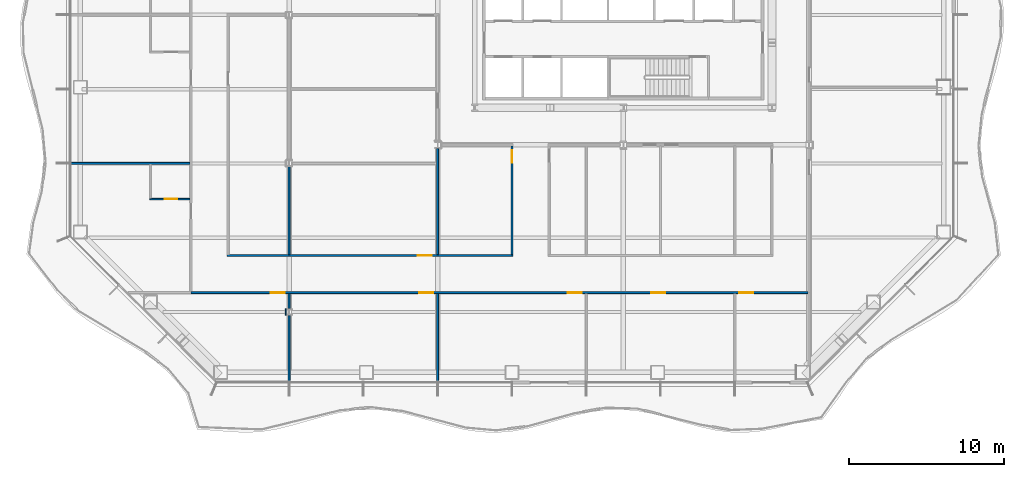
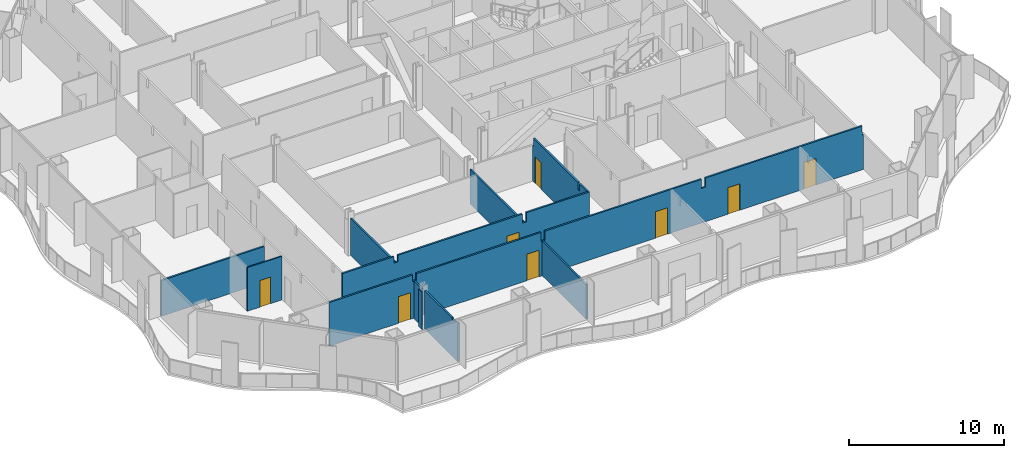
# One storey, part 6 of 18: 11 walls, 8 doors, 8 openings.
"""IFC4 building model written with IfcOpenShell, lengths in metres."""

from ifc_helpers import new_model, si_unit, direction, frame, frame_2d, origin, place, context, subcontext, project, spatial, polyline, rectangle, outline, extrude, material, layer, layer_set, type_object, element, fill, save


model = new_model("IFC4")

# Units and contexts
model_context = context("Model", 3, precision=1e-05, world=origin(), true_north=direction((0.0, 1.0)))
body_context = subcontext(model_context, "Body", "Model", "MODEL_VIEW")
ifc_project = project(units=[si_unit("LENGTHUNIT", "METRE"), si_unit("AREAUNIT", "SQUARE_METRE"), si_unit("VOLUMEUNIT", "CUBIC_METRE"), si_unit("PLANEANGLEUNIT", "RADIAN"), si_unit("MASSUNIT", "GRAM", prefix="KILO")], contexts=[model_context])

# Site, building, storey
site_placement = place(None, origin())
site = spatial("IfcSite", under=ifc_project, at=site_placement, CompositionType="ELEMENT")
building_placement = place(site_placement, origin())
building = spatial("IfcBuilding", under=site, at=building_placement, Name="Cairn Pilgrim Tower", CompositionType="ELEMENT")
storey_placement = place(building_placement, frame((0.0, 0.0, 76.199951171875)))
storey = spatial("IfcBuildingStorey", under=building, at=storey_placement, Name="L17", CompositionType="ELEMENT", Elevation=76.199951171875)

# Wall, opening, door
ifc_material_1 = material(Name="Gypsum partition")
ifc_layer_1 = layer(ifc_material_1, 0.10009765625)
ifc_layer_set_1 = layer_set([ifc_layer_1], Name="PARTITION 100 DRYWALL")
wall_type_1 = type_object("IfcWallType", Name="PARTITION 100 DRYWALL", PredefinedType="PARTITIONING", material=ifc_layer_set_1)
wall_1_placement = place(storey_placement, frame((-23.39990234375, -11.89990234375, 0.0), z_axis=(0.0, 0.0, 1.0), x_axis=(1.0, 0.0, 0.0)))
wall_1 = element("IfcWall", 1, at=wall_1_placement, inside=storey, type_object=wall_type_1, Name="PARTITION W022", PredefinedType="PARTITIONING", context=body_context, shape_type="SweptSolid", body=[
    extrude(rectangle(XDim=2.58740234375, YDim=0.10009765625, at=frame_2d((1.293701171875, 0.0))), origin(), (0.0, 0.0, 1.0), 3.449951171875),
])
opening_1_placement = place(wall_1_placement, frame((0.949951171875, 0.0, 0.0)))
opening_1 = element("IfcOpeningElement", 2, at=opening_1_placement, cuts=wall_1, Name="Opening 1706E", PredefinedType="OPENING", context=body_context, shape_type="SweptSolid", body=[
    extrude(rectangle(XDim=0.800048828125, YDim=2.10009765625, at=frame_2d((0.39990234375, 1.050048828125))), frame((0.0, 0.06005859375, 0.0), z_axis=(0.0, -1.0, 0.0), x_axis=(1.0, 0.0, 0.0)), (0.0, 0.0, 1.0), 0.1201171875),
])
ifc_material_2 = material(Name="Timber door leaf", Category="wood")
door_type_1 = type_object("IfcDoorType", Name="DOOR 800x2100", OperationType="NOTDEFINED", PredefinedType="DOOR", material=ifc_material_2)
door_1_placement = place(opening_1_placement, origin())
door_1 = element("IfcDoor", 3, at=door_1_placement, inside=storey, type_object=door_type_1, Name="DOOR 1706E", OperationType="SINGLE_SWING_RIGHT", OverallHeight=2.10009765625, OverallWidth=0.800048828125, PredefinedType="DOOR", context=body_context, shape_type="SweptSolid", body=[
    extrude(rectangle(XDim=0.800048828125, YDim=2.10009765625, at=frame_2d((0.39990234375, 1.050048828125))), frame((0.0, 0.02490234375, 0.0), z_axis=(0.0, -1.0, 0.0), x_axis=(1.0, 0.0, 0.0)), (0.0, 0.0, 1.0), 0.050048828125),
])
fill(opening_1, door_1)

# Walls
ifc_layer_2 = layer(ifc_material_1, 0.125)
ifc_layer_set_2 = layer_set([ifc_layer_2], Name="PARTITION 125 DRYWALL EI 60")
wall_type_2 = type_object("IfcWallType", Name="PARTITION 125 DRYWALL EI 60", PredefinedType="PARTITIONING", material=ifc_layer_set_2)
wall_2_placement = place(storey_placement, frame((-14.39990234375, -23.68994140625, 0.0), z_axis=(0.0, 0.0, 1.0), x_axis=(0.0, 1.0, 0.0)))
element("IfcWall", 4, at=wall_2_placement, inside=storey, type_object=wall_type_2, Name="PARTITION W001", PredefinedType="PARTITIONING", context=body_context, shape_type="SweptSolid", body=[
    extrude(outline(polyline([(0.0, 0.0), (4.27734375, 0.0), (4.277587890625, 3.030029296875), (0.739990234375, 3.030029296875), (0.738037109375, 2.929931640625), (0.43994140625, 2.929931640625), (0.43798828125, 3.030029296875), (0.0, 3.030029296875), (0.0, 0.0)])), frame((0.0, 0.0625, 0.0), z_axis=(0.0, -1.0, 0.0), x_axis=(1.0, 0.0, 0.0)), (0.0, 0.0, 1.0), 0.125),
])
wall_3_placement = place(storey_placement, frame((-4.800048828125, -23.68994140625, 0.0), z_axis=(0.0, 0.0, 1.0), x_axis=(0.0, 1.0, 0.0)))
element("IfcWall", 5, at=wall_3_placement, inside=storey, type_object=wall_type_2, Name="PARTITION W002", PredefinedType="PARTITIONING", context=body_context, shape_type="SweptSolid", body=[
    extrude(rectangle(XDim=5.677490234375, YDim=0.125, at=frame_2d((2.8388671875, 0.0))), origin(), (0.0, 0.0, 1.0), 2.72998046875),
])
wall_4_placement = place(storey_placement, frame((-14.39990234375, -18.987548828125, 0.0), z_axis=(0.0, 0.0, 1.0), x_axis=(0.0, 1.0, 0.0)))
element("IfcWall", 6, at=wall_4_placement, inside=storey, type_object=wall_type_2, Name="PARTITION W006", PredefinedType="PARTITIONING", context=body_context, shape_type="SweptSolid", body=[
    extrude(rectangle(XDim=0.97509765625, YDim=0.125, at=frame_2d((0.487548828125, 0.0))), origin(), (0.0, 0.0, 1.0), 2.929931640625),
])

# Wall, openings, doors
wall_5_placement = place(storey_placement, frame((-20.75, -17.949951171875, 0.0), z_axis=(0.0, 0.0, 1.0), x_axis=(1.0, 0.0, 0.0)))
wall_5 = element("IfcWall", 7, at=wall_5_placement, inside=storey, type_object=wall_type_2, Name="PARTITION W008", PredefinedType="PARTITIONING", context=body_context, shape_type="SweptSolid", body=[
    extrude(outline(polyline([(0.0, 0.0), (39.887451171875, 0.0), (39.887451171875, 2.72998046875), (39.800048828125, 2.72998046875), (39.798095703125, 3.449951171875), (28.10009765625, 3.449951171875), (28.097900390625, 2.72998046875), (27.800048828125, 2.72998046875), (27.798095703125, 3.449951171875), (16.10009765625, 3.449951171875), (16.097900390625, 2.72998046875), (15.800048828125, 2.72998046875), (15.798095703125, 3.449951171875), (6.5, 3.449951171875), (6.498046875, 2.929931640625), (6.199951171875, 2.929931640625), (6.197998046875, 3.449951171875), (0.0, 3.449951171875), (0.0, 0.0)])), frame((0.0, 0.0625, 0.0), z_axis=(0.0, -1.0, 0.0), x_axis=(1.0, 0.0, 0.0)), (0.0, 0.0, 1.0), 0.125),
])
opening_2_placement = place(wall_5_placement, frame((5.14990234375, 0.0, 0.0)))
opening_2 = element("IfcOpeningElement", 8, at=opening_2_placement, cuts=wall_5, Name="Opening 1701", PredefinedType="OPENING", context=body_context, shape_type="SweptSolid", body=[
    extrude(rectangle(XDim=0.89990234375, YDim=2.10009765625, at=frame_2d((0.449951171875, 1.050048828125))), frame((0.0, 0.072509765625, 0.0), z_axis=(0.0, -1.0, 0.0), x_axis=(1.0, 0.0, 0.0)), (0.0, 0.0, 1.0), 0.14501953125),
])
opening_3_placement = place(wall_5_placement, frame((14.75, 0.0, 0.0)))
opening_3 = element("IfcOpeningElement", 9, at=opening_3_placement, cuts=wall_5, Name="Opening 1702", PredefinedType="OPENING", context=body_context, shape_type="SweptSolid", body=[
    extrude(rectangle(XDim=0.89990234375, YDim=2.10009765625, at=frame_2d((0.449951171875, 1.050048828125))), frame((0.0, 0.072509765625, 0.0), z_axis=(0.0, -1.0, 0.0), x_axis=(1.0, 0.0, 0.0)), (0.0, 0.0, 1.0), 0.14501953125),
])
opening_4_placement = place(wall_5_placement, frame((24.35009765625, 0.0, 0.0)))
opening_4 = element("IfcOpeningElement", 10, at=opening_4_placement, cuts=wall_5, Name="Opening 1703", PredefinedType="OPENING", context=body_context, shape_type="SweptSolid", body=[
    extrude(rectangle(XDim=0.89990234375, YDim=2.10009765625, at=frame_2d((0.449951171875, 1.050048828125))), frame((0.0, 0.072509765625, 0.0), z_axis=(0.0, -1.0, 0.0), x_axis=(1.0, 0.0, 0.0)), (0.0, 0.0, 1.0), 0.14501953125),
])
opening_5_placement = place(wall_5_placement, frame((29.75, 0.0, 0.0)))
opening_5 = element("IfcOpeningElement", 11, at=opening_5_placement, cuts=wall_5, Name="Opening 1704", PredefinedType="OPENING", context=body_context, shape_type="SweptSolid", body=[
    extrude(rectangle(XDim=0.89990234375, YDim=2.10009765625, at=frame_2d((0.449951171875, 1.050048828125))), frame((0.0, 0.072509765625, 0.0), z_axis=(0.0, -1.0, 0.0), x_axis=(1.0, 0.0, 0.0)), (0.0, 0.0, 1.0), 0.14501953125),
])
opening_6_placement = place(wall_5_placement, frame((35.449951171875, 0.0, 0.0)))
opening_6 = element("IfcOpeningElement", 12, at=opening_6_placement, cuts=wall_5, Name="Opening 1705", PredefinedType="OPENING", context=body_context, shape_type="SweptSolid", body=[
    extrude(rectangle(XDim=0.89990234375, YDim=2.10009765625, at=frame_2d((0.449951171875, 1.050048828125))), frame((0.0, 0.072509765625, 0.0), z_axis=(0.0, -1.0, 0.0), x_axis=(1.0, 0.0, 0.0)), (0.0, 0.0, 1.0), 0.14501953125),
])
ifc_material_3 = material(Name="Steel-faced fire door leaf", Category="steel")
door_type_2 = type_object("IfcDoorType", Name="FIRE DOOR 900x2100 FD30S", OperationType="NOTDEFINED", PredefinedType="DOOR", material=ifc_material_3)
door_2_placement = place(opening_2_placement, frame((0.89990234375, 0.0, 0.0), z_axis=(0.0, 0.0, 1.0), x_axis=(-1.0, 0.0, 0.0)))
door_2 = element("IfcDoor", 13, at=door_2_placement, inside=storey, type_object=door_type_2, Name="DOOR 1701", OperationType="SINGLE_SWING_RIGHT", OverallHeight=2.10009765625, OverallWidth=0.89990234375, PredefinedType="DOOR", context=body_context, shape_type="SweptSolid", body=[
    extrude(rectangle(XDim=0.89990234375, YDim=2.10009765625, at=frame_2d((0.449951171875, 1.050048828125))), frame((0.0, 0.02490234375, 0.0), z_axis=(0.0, -1.0, 0.0), x_axis=(1.0, 0.0, 0.0)), (0.0, 0.0, 1.0), 0.050048828125),
])
fill(opening_2, door_2)
door_3_placement = place(opening_3_placement, frame((0.89990234375, 0.0, 0.0), z_axis=(0.0, 0.0, 1.0), x_axis=(-1.0, 0.0, 0.0)))
door_3 = element("IfcDoor", 14, at=door_3_placement, inside=storey, type_object=door_type_2, Name="DOOR 1702", OperationType="SINGLE_SWING_LEFT", OverallHeight=2.10009765625, OverallWidth=0.89990234375, PredefinedType="DOOR", context=body_context, shape_type="SweptSolid", body=[
    extrude(rectangle(XDim=0.89990234375, YDim=2.10009765625, at=frame_2d((0.449951171875, 1.050048828125))), frame((0.0, 0.02490234375, 0.0), z_axis=(0.0, -1.0, 0.0), x_axis=(1.0, 0.0, 0.0)), (0.0, 0.0, 1.0), 0.050048828125),
])
fill(opening_3, door_3)
door_4_placement = place(opening_4_placement, frame((0.89990234375, 0.0, 0.0), z_axis=(0.0, 0.0, 1.0), x_axis=(-1.0, 0.0, 0.0)))
door_4 = element("IfcDoor", 15, at=door_4_placement, inside=storey, type_object=door_type_2, Name="DOOR 1703", OperationType="SINGLE_SWING_RIGHT", OverallHeight=2.10009765625, OverallWidth=0.89990234375, PredefinedType="DOOR", context=body_context, shape_type="SweptSolid", body=[
    extrude(rectangle(XDim=0.89990234375, YDim=2.10009765625, at=frame_2d((0.449951171875, 1.050048828125))), frame((0.0, 0.02490234375, 0.0), z_axis=(0.0, -1.0, 0.0), x_axis=(1.0, 0.0, 0.0)), (0.0, 0.0, 1.0), 0.050048828125),
])
fill(opening_4, door_4)
door_5_placement = place(opening_5_placement, frame((0.89990234375, 0.0, 0.0), z_axis=(0.0, 0.0, 1.0), x_axis=(-1.0, 0.0, 0.0)))
door_5 = element("IfcDoor", 16, at=door_5_placement, inside=storey, type_object=door_type_2, Name="DOOR 1704", OperationType="SINGLE_SWING_LEFT", OverallHeight=2.10009765625, OverallWidth=0.89990234375, PredefinedType="DOOR", context=body_context, shape_type="SweptSolid", body=[
    extrude(rectangle(XDim=0.89990234375, YDim=2.10009765625, at=frame_2d((0.449951171875, 1.050048828125))), frame((0.0, 0.02490234375, 0.0), z_axis=(0.0, -1.0, 0.0), x_axis=(1.0, 0.0, 0.0)), (0.0, 0.0, 1.0), 0.050048828125),
])
fill(opening_5, door_5)
door_6_placement = place(opening_6_placement, frame((0.89990234375, 0.0, 0.0), z_axis=(0.0, 0.0, 1.0), x_axis=(-1.0, 0.0, 0.0)))
door_6 = element("IfcDoor", 17, at=door_6_placement, inside=storey, type_object=door_type_2, Name="DOOR 1705", OperationType="SINGLE_SWING_RIGHT", OverallHeight=2.10009765625, OverallWidth=0.89990234375, PredefinedType="DOOR", context=body_context, shape_type="SweptSolid", body=[
    extrude(rectangle(XDim=0.89990234375, YDim=2.10009765625, at=frame_2d((0.449951171875, 1.050048828125))), frame((0.0, 0.02490234375, 0.0), z_axis=(0.0, -1.0, 0.0), x_axis=(1.0, 0.0, 0.0)), (0.0, 0.0, 1.0), 0.050048828125),
])
fill(opening_6, door_6)

# Wall, opening, door
wall_6_placement = place(storey_placement, frame((-18.41259765625, -15.550048828125, 0.0), z_axis=(0.0, 0.0, 1.0), x_axis=(1.0, 0.0, 0.0)))
wall_6 = element("IfcWall", 18, at=wall_6_placement, inside=storey, type_object=wall_type_2, Name="PARTITION W011", PredefinedType="PARTITIONING", context=body_context, shape_type="SweptSolid", body=[
    extrude(outline(polyline([(0.0, 0.0), (18.47509765625, 0.0), (18.47509765625, 3.449951171875), (13.762451171875, 3.449951171875), (13.760498046875, 2.72998046875), (13.46240234375, 2.72998046875), (13.46044921875, 3.449951171875), (4.16259765625, 3.449951171875), (4.160400390625, 2.929931640625), (3.862548828125, 2.929931640625), (3.860595703125, 3.449951171875), (0.0, 3.449951171875), (0.0, 0.0)])), frame((0.0, 0.0625, 0.0), z_axis=(0.0, -1.0, 0.0), x_axis=(1.0, 0.0, 0.0)), (0.0, 0.0, 1.0), 0.125),
])
opening_7_placement = place(wall_6_placement, frame((12.3125, 0.0, 0.0)))
opening_7 = element("IfcOpeningElement", 19, at=opening_7_placement, cuts=wall_6, Name="Opening 1717", PredefinedType="OPENING", context=body_context, shape_type="SweptSolid", body=[
    extrude(rectangle(XDim=0.89990234375, YDim=2.10009765625, at=frame_2d((0.449951171875, 1.050048828125))), frame((0.0, 0.072509765625, 0.0), z_axis=(0.0, -1.0, 0.0), x_axis=(1.0, 0.0, 0.0)), (0.0, 0.0, 1.0), 0.14501953125),
])
door_7_placement = place(opening_7_placement, origin())
door_7 = element("IfcDoor", 20, at=door_7_placement, inside=storey, type_object=door_type_2, Name="DOOR 1717", OperationType="SINGLE_SWING_RIGHT", OverallHeight=2.10009765625, OverallWidth=0.89990234375, PredefinedType="DOOR", context=body_context, shape_type="SweptSolid", body=[
    extrude(rectangle(XDim=0.89990234375, YDim=2.10009765625, at=frame_2d((0.449951171875, 1.050048828125))), frame((0.0, 0.02490234375, 0.0), z_axis=(0.0, -1.0, 0.0), x_axis=(1.0, 0.0, 0.0)), (0.0, 0.0, 1.0), 0.050048828125),
])
fill(opening_7, door_7)

# Walls
wall_7_placement = place(storey_placement, frame((-14.39990234375, -15.487548828125, 0.0), z_axis=(0.0, 0.0, 1.0), x_axis=(0.0, 1.0, 0.0)))
element("IfcWall", 21, at=wall_7_placement, inside=storey, type_object=wall_type_2, Name="PARTITION W014", PredefinedType="PARTITIONING", context=body_context, shape_type="SweptSolid", body=[
    extrude(rectangle(XDim=5.675048828125, YDim=0.125, at=frame_2d((2.83740234375, 0.0))), origin(), (0.0, 0.0, 1.0), 2.929931640625),
])
wall_8_placement = place(storey_placement, frame((-4.800048828125, -15.487548828125, 0.0), z_axis=(0.0, 0.0, 1.0), x_axis=(0.0, 1.0, 0.0)))
element("IfcWall", 22, at=wall_8_placement, inside=storey, type_object=wall_type_2, Name="PARTITION W015", PredefinedType="PARTITIONING", context=body_context, shape_type="SweptSolid", body=[
    extrude(rectangle(XDim=6.8505859375, YDim=0.125, at=frame_2d((3.42529296875, 0.0))), origin(), (0.0, 0.0, 1.0), 2.72998046875),
])

# Wall, opening, door
wall_9_placement = place(storey_placement, frame((0.0, -15.487548828125, 0.0), z_axis=(0.0, 0.0, 1.0), x_axis=(0.0, 1.0, 0.0)))
wall_9 = element("IfcWall", 23, at=wall_9_placement, inside=storey, type_object=wall_type_2, Name="PARTITION W016", PredefinedType="PARTITIONING", context=body_context, shape_type="SweptSolid", body=[
    extrude(outline(polyline([(0.0, 0.0), (7.025146484375, 0.0), (7.02490234375, 2.830078125), (6.9375, 2.830078125), (6.935546875, 3.449951171875), (1.1923828125, 3.449951171875), (1.1904296875, 2.880126953125), (0.982421875, 2.880126953125), (0.98046875, 3.449951171875), (0.0, 3.449951171875), (0.0, 0.0)])), frame((0.0, 0.0625, 0.0), z_axis=(0.0, -1.0, 0.0), x_axis=(1.0, 0.0, 0.0)), (0.0, 0.0, 1.0), 0.125),
])
opening_8_placement = place(wall_9_placement, frame((5.9375, 0.0, 0.0)))
opening_8 = element("IfcOpeningElement", 24, at=opening_8_placement, cuts=wall_9, Name="Opening 1724", PredefinedType="OPENING", context=body_context, shape_type="SweptSolid", body=[
    extrude(rectangle(XDim=0.800048828125, YDim=2.10009765625, at=frame_2d((0.39990234375, 1.050048828125))), frame((0.0, 0.072509765625, 0.0), z_axis=(0.0, -1.0, 0.0), x_axis=(1.0, 0.0, 0.0)), (0.0, 0.0, 1.0), 0.14501953125),
])
door_type_3 = type_object("IfcDoorType", Name="FIRE DOOR 800x2100 FD30S", OperationType="NOTDEFINED", PredefinedType="DOOR", material=ifc_material_3)
door_8_placement = place(opening_8_placement, origin())
door_8 = element("IfcDoor", 25, at=door_8_placement, inside=storey, type_object=door_type_3, Name="DOOR 1724", OperationType="SINGLE_SWING_LEFT", OverallHeight=2.10009765625, OverallWidth=0.800048828125, PredefinedType="DOOR", context=body_context, shape_type="SweptSolid", body=[
    extrude(rectangle(XDim=0.800048828125, YDim=2.10009765625, at=frame_2d((0.39990234375, 1.050048828125))), frame((0.0, 0.02490234375, 0.0), z_axis=(0.0, -1.0, 0.0), x_axis=(1.0, 0.0, 0.0)), (0.0, 0.0, 1.0), 0.050048828125),
])
fill(opening_8, door_8)

# Walls
wall_10_placement = place(storey_placement, frame((-28.489990234375, -9.60009765625, 0.0), z_axis=(0.0, 0.0, 1.0), x_axis=(1.0, 0.0, 0.0)))
element("IfcWall", 26, at=wall_10_placement, inside=storey, type_object=wall_type_2, Name="PARTITION W024", PredefinedType="PARTITIONING", context=body_context, shape_type="SweptSolid", body=[
    extrude(rectangle(XDim=7.677490234375, YDim=0.125, at=frame_2d((3.8388671875, 0.0))), origin(), (0.0, 0.0, 1.0), 2.830078125),
])
ifc_layer_3 = layer(ifc_material_1, 0.050048828125)
ifc_layer_set_3 = layer_set([ifc_layer_3], Name="PARTITION 50 DRYWALL EI 60")
wall_type_3 = type_object("IfcWallType", Name="PARTITION 50 DRYWALL EI 60", PredefinedType="PARTITIONING", material=ifc_layer_set_3)
wall_11_placement = place(storey_placement, frame((-14.62939453125, -19.41259765625, 0.0), z_axis=(0.0, 0.0, 1.0), x_axis=(0.0, 1.0, 0.0)))
element("IfcWall", 27, at=wall_11_placement, inside=storey, type_object=wall_type_3, Name="COLUMN CASING WC01", PredefinedType="PARTITIONING", context=body_context, shape_type="SweptSolid", body=[
    extrude(rectangle(XDim=0.425048828125, YDim=0.050048828125, at=frame_2d((0.21240234375, 0.0))), origin(), (0.0, 0.0, 1.0), 2.97998046875),
])

save(model, "model.ifc")
